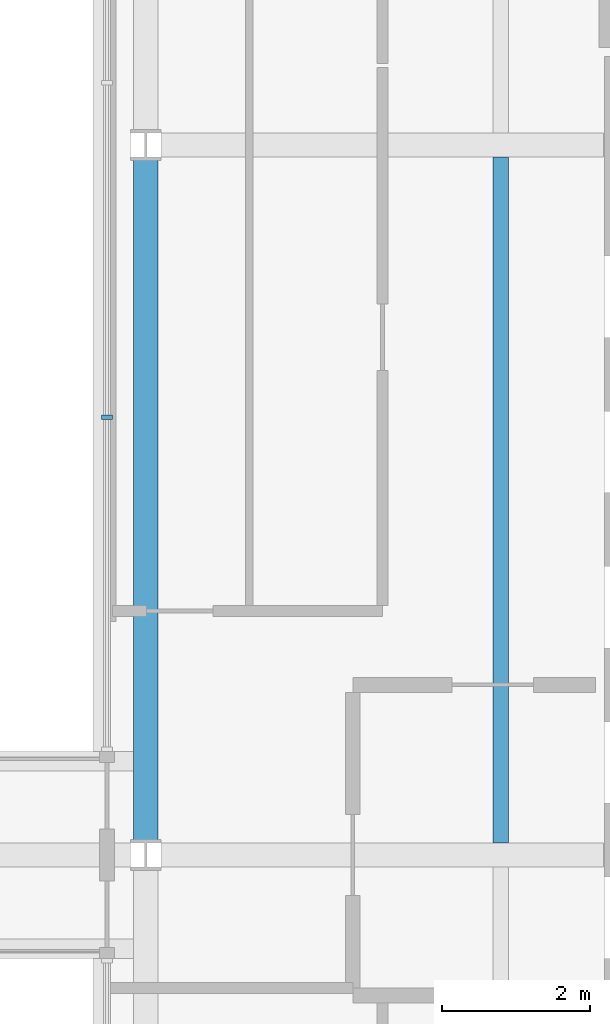
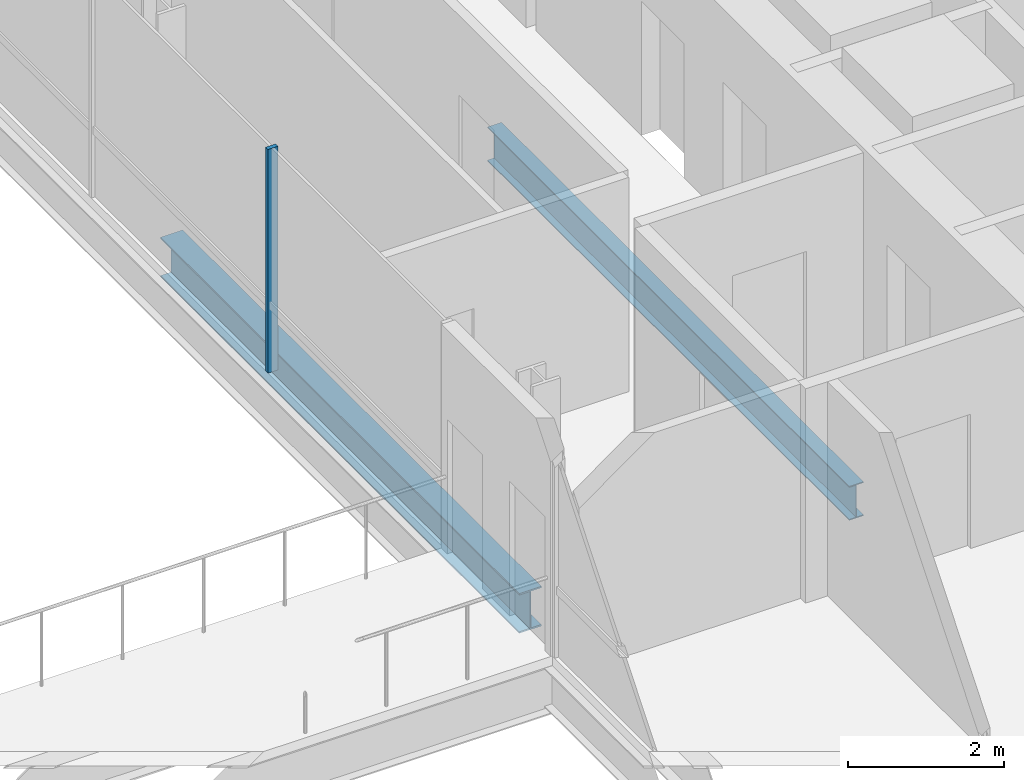
# One storey, part 5 of 19: 2 beams, 1 member, 1 element without a shape of its own.
"""IFC4 building model written with IfcOpenShell, lengths in metres."""

from ifc_helpers import new_model, si_unit, direction, frame, origin, origin_2d, place, context, subcontext, project, spatial, rectangle, i_section, extrude, material, material_profile, profile_set, type_object, element, aggregate, save


model = new_model("IFC4")

# Units and contexts
model_context = context("Model", 3, precision=1e-05, world=origin(), true_north=direction((0.0, 1.0)))
body_context = subcontext(model_context, "Body", "Model", "MODEL_VIEW")
ifc_project = project(units=[si_unit("LENGTHUNIT", "METRE"), si_unit("AREAUNIT", "SQUARE_METRE"), si_unit("VOLUMEUNIT", "CUBIC_METRE"), si_unit("PLANEANGLEUNIT", "RADIAN"), si_unit("MASSUNIT", "GRAM", prefix="KILO")], contexts=[model_context])

# Site, building, storey
site_placement = place(None, origin())
site = spatial("IfcSite", under=ifc_project, at=site_placement, CompositionType="ELEMENT")
building_placement = place(site_placement, origin())
building = spatial("IfcBuilding", under=site, at=building_placement, Name="Cobrizo Arcos Hotel Tower", CompositionType="ELEMENT")
storey_placement = place(building_placement, frame((0.0, 0.0, 63.5)))
storey = spatial("IfcBuildingStorey", under=building, at=storey_placement, Name="L14", CompositionType="ELEMENT", Elevation=63.5)

# Curtain wall, member
ifc_material_1 = material(Name="Aluminium 6063-T6 anodised bronze", Category="aluminium")
curtain_wall_type = type_object("IfcCurtainWallType", Name="CW-F void screen", PredefinedType="NOTDEFINED", material=ifc_material_1)
curtain_wall_placement = place(storey_placement, origin())
curtain_wall = element("IfcCurtainWall", 1, at=curtain_wall_placement, inside=storey, type_object=curtain_wall_type, Name="CW-F L14 void screen A", PredefinedType="NOTDEFINED")
ifc_material_profile_1 = material_profile(ifc_material_1, rectangle(XDim=0.14990234375, YDim=0.06005859375, at=origin_2d()), Name="CW-F mullion 150x60")
ifc_profile_set_1 = profile_set([ifc_material_profile_1], Name="Aluminium 6063-T6 anodised bronze")
member_type = type_object("IfcMemberType", Name="CW-F mullion 150x60", PredefinedType="MULLION", material=ifc_profile_set_1)
member_placement = place(storey_placement, frame((9.074951171875, 5.919921875, 0.0), z_axis=(0.0, 0.0, 1.0), x_axis=(1.0, 0.0, 0.0)))
member = element("IfcMember", 2, at=member_placement, type_object=member_type, Name="CW-F mullion 2", PredefinedType="MULLION", context=body_context, shape_type="SweptSolid", body=[
    extrude(rectangle(XDim=0.14990234375, YDim=0.06005859375, at=origin_2d()), origin(), (0.0, 0.0, 1.0), 3.5),
])
aggregate(curtain_wall, [member])

# Beams
ifc_material_2 = material(Name="Steel ASTM A992 Grade 50", Category="steel")
ifc_material_profile_2 = material_profile(ifc_material_2, i_section(OverallWidth=0.209228515625, OverallDepth=0.533447265625, WebThickness=0.01025390625, FlangeThickness=0.015625, at=origin_2d()), Name="W21X62")
ifc_profile_set_2 = profile_set([ifc_material_profile_2], Name="Steel ASTM A992 Grade 50")
beam_type_1 = type_object("IfcBeamType", Name="W21X62 joist", PredefinedType="JOIST", material=ifc_profile_set_2)
beam_1_placement = place(storey_placement, frame((14.39990234375, 0.163818359375, -0.416748046875), z_axis=(0.0, 1.0, 0.0), x_axis=(-1.0, 0.0, 0.0)))
element("IfcBeam", 3, at=beam_1_placement, inside=storey, type_object=beam_type_1, Name="Floor joist J1, L14, no. 009", PredefinedType="JOIST", context=body_context, shape_type="SweptSolid", body=[
    extrude(i_section(OverallWidth=0.209228515625, OverallDepth=0.533447265625, WebThickness=0.01025390625, FlangeThickness=0.015625, at=origin_2d()), origin(), (0.0, 0.0, 1.0), 9.272216796875),
])
ifc_material_profile_3 = material_profile(ifc_material_2, i_section(OverallWidth=0.32763671875, OverallDepth=0.622314453125, WebThickness=0.015380859375, FlangeThickness=0.0244140625, at=origin_2d()), Name="W24X131")
ifc_profile_set_3 = profile_set([ifc_material_profile_3], Name="Steel ASTM A992 Grade 50")
beam_type_2 = type_object("IfcBeamType", Name="W24X131 girder", PredefinedType="BEAM", material=ifc_profile_set_3)
beam_2_placement = place(storey_placement, frame((9.60009765625, 0.204345703125, -0.461181640625), z_axis=(0.0, 1.0, 0.0), x_axis=(-1.0, 0.0, 0.0)))
element("IfcBeam", 4, at=beam_2_placement, inside=storey, type_object=beam_type_2, Name="Floor girder G1, L14, no. 014", PredefinedType="BEAM", context=body_context, shape_type="SweptSolid", body=[
    extrude(i_section(OverallWidth=0.32763671875, OverallDepth=0.622314453125, WebThickness=0.015380859375, FlangeThickness=0.0244140625, at=origin_2d()), origin(), (0.0, 0.0, 1.0), 9.191162109375),
])

save(model, "model.ifc")
